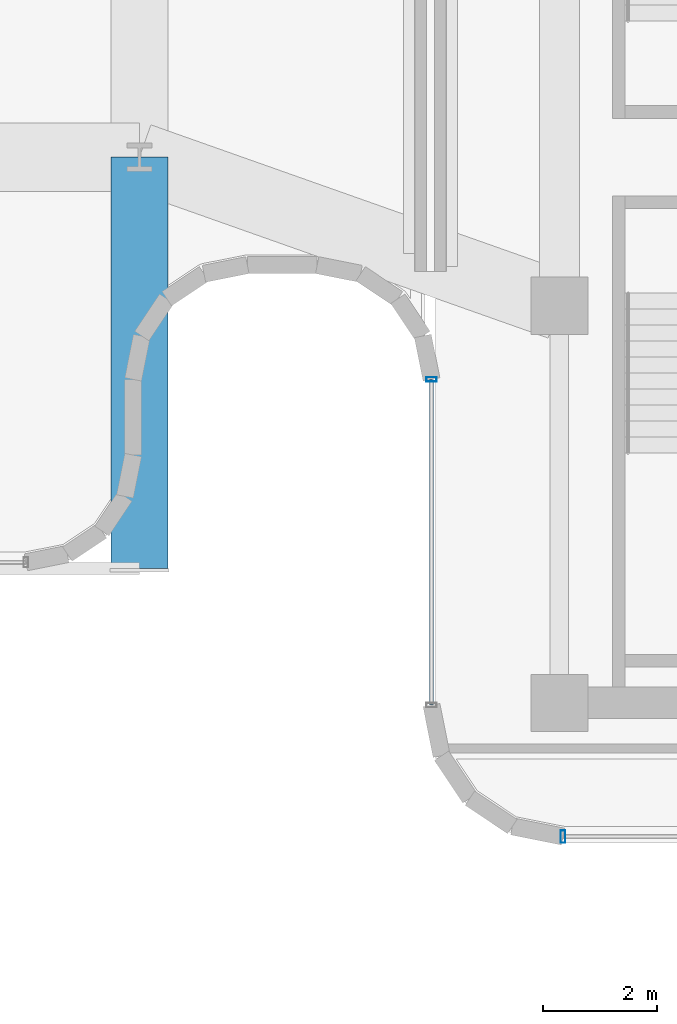
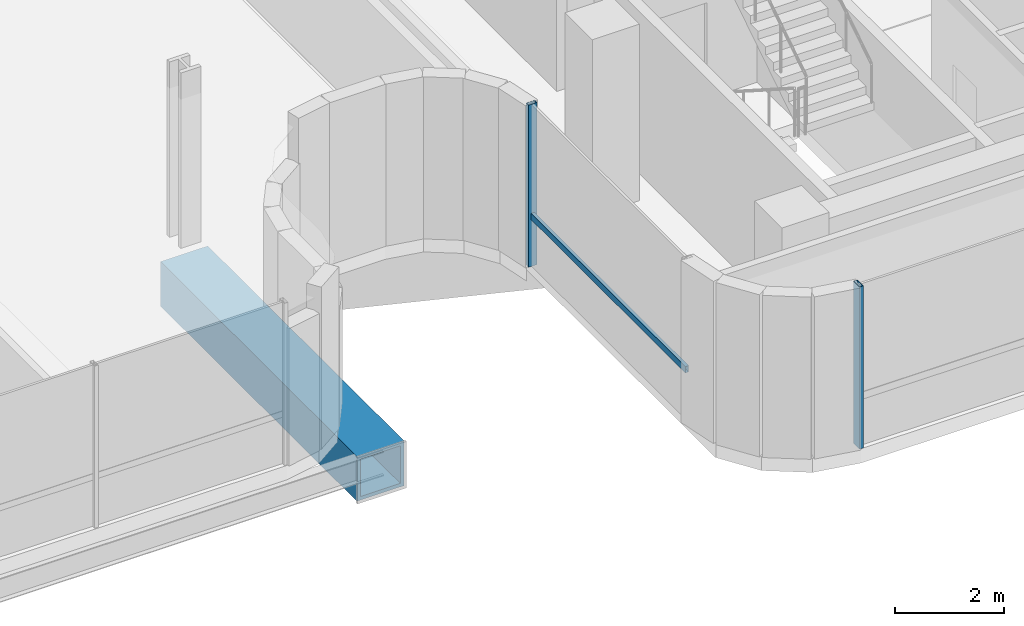
# One storey, part 11 of 36: 3 members, 1 beam, 2 elements without a shape of their own.
"""IFC4 building model written with IfcOpenShell, lengths in metres."""

from ifc_helpers import new_model, si_unit, direction, frame, origin, origin_2d, place, context, subcontext, project, spatial, hollow_rectangle, extrude, source, transform, mapped, material, material_profile, profile_set, type_object, element, aggregate, save


model = new_model("IFC4")

# Units and contexts
model_context = context("Model", 3, precision=1e-05, world=origin(), true_north=direction((0.0, 1.0)))
body_context = subcontext(model_context, "Body", "Model", "MODEL_VIEW")
ifc_project = project(units=[si_unit("LENGTHUNIT", "METRE"), si_unit("AREAUNIT", "SQUARE_METRE"), si_unit("VOLUMEUNIT", "CUBIC_METRE"), si_unit("PLANEANGLEUNIT", "RADIAN"), si_unit("MASSUNIT", "GRAM", prefix="KILO")], contexts=[model_context])

# Site, building, storey
site_placement = place(None, origin())
site = spatial("IfcSite", under=ifc_project, at=site_placement, CompositionType="ELEMENT")
building_placement = place(site_placement, origin())
building = spatial("IfcBuilding", under=site, at=building_placement, Name="Valdorenza Pilgrim Sanctuary Tower", CompositionType="ELEMENT")
storey_placement = place(building_placement, frame((0.0, 0.0, 176.550048828125)))
storey = spatial("IfcBuildingStorey", under=building, at=storey_placement, Name="L45", CompositionType="ELEMENT", Elevation=176.550048828125)

# Beam
ifc_material_1 = material(Name="Steel ASTM A572 Grade 42", Category="steel")
ifc_material_profile_1 = material_profile(ifc_material_1, hollow_rectangle(XDim=1.0, YDim=1.0, WallThickness=0.080078125, at=origin_2d()), Name="BOX 1000x1000x80")
ifc_profile_set_1 = profile_set([ifc_material_profile_1], Name="Steel ASTM A572 Grade 42")
beam_type = type_object("IfcBeamType", Name="STR-BM-PROW-CANT", PredefinedType="BEAM", material=ifc_profile_set_1)
shared_shape_1 = source(origin(), body_context, "Body", "SweptSolid", [
    extrude(hollow_rectangle(XDim=1.0, YDim=1.0, WallThickness=0.080078125, at=origin_2d()), origin(), (0.0, 0.0, 1.0), 7.199951171875),
])
beam_placement = place(storey_placement, frame((8.5, 0.0, -0.820068359375), z_axis=(0.0, -1.0, 0.0), x_axis=(1.0, 0.0, 0.0)))
element("IfcBeam", 1, at=beam_placement, inside=storey, type_object=beam_type, Name="L45 South Sanctuary Prow Cantilever PROW-CANT-S-E", PredefinedType="BEAM", context=body_context, shape_type="MappedRepresentation", body=[
    mapped(shared_shape_1, transform((0.0, 0.0, 0.0), x_axis=(1.0, 0.0, 0.0), y_axis=(0.0, 1.0, 0.0), z_axis=(0.0, 0.0, 1.0), scale=1.0)),
])

# Curtain wall, members
ifc_material_2 = material(Name="Curtain-wall IGU glazing", Category="glass")
curtain_wall_type_1 = type_object("IfcCurtainWallType", Name="CW-SYS-05", PredefinedType="NOTDEFINED", material=ifc_material_2)
curtain_wall_1_placement = place(storey_placement, origin())
curtain_wall_1 = element("IfcCurtainWall", 2, at=curtain_wall_1_placement, inside=storey, type_object=curtain_wall_type_1, Name="L45 Curtain Wall CW-L45-1-47", PredefinedType="NOTDEFINED")
ifc_material_3 = material(Name="Anodised aluminium AW-6060", Category="aluminium")
ifc_material_profile_2 = material_profile(ifc_material_3, hollow_rectangle(XDim=0.070068359375, YDim=0.139892578125, WallThickness=0.00341796875, at=origin_2d()), Name="ALU-T 140x70x3.5")
ifc_profile_set_2 = profile_set([ifc_material_profile_2], Name="Anodised aluminium AW-6060")
member_type_1 = type_object("IfcMemberType", Name="CW-TRN-05", PredefinedType="USERDEFINED", material=ifc_profile_set_2)
shared_shape_2 = source(origin(), body_context, "Body", "SweptSolid", [
    extrude(hollow_rectangle(XDim=0.070068359375, YDim=0.139892578125, WallThickness=0.00341796875, at=origin_2d()), origin(), (0.0, 0.0, 1.0), 5.699951171875),
])
member_1_placement = place(storey_placement, frame((13.610107421875, -9.589111328125, 1.119873046875), z_axis=(0.0, 1.0, 0.0), x_axis=(-1.0, 0.0, 0.0)))
member_1 = element("IfcMember", 3, at=member_1_placement, type_object=member_type_1, Name="CW-L45-1-47 Transom 1", ObjectType="TRANSOM", PredefinedType="USERDEFINED", context=body_context, shape_type="MappedRepresentation", body=[
    mapped(shared_shape_2, transform((0.0, 0.0, 0.0), x_axis=(1.0, 0.0, 0.0), y_axis=(0.0, 1.0, 0.0), z_axis=(0.0, 0.0, 1.0), scale=1.0)),
])
ifc_material_profile_3 = material_profile(ifc_material_3, hollow_rectangle(XDim=0.080078125, YDim=0.179931640625, WallThickness=0.00439453125, at=origin_2d()), Name="ALU-M 180x80x4.5")
ifc_profile_set_3 = profile_set([ifc_material_profile_3], Name="Anodised aluminium AW-6060")
member_type_2 = type_object("IfcMemberType", Name="CW-MUL-05", PredefinedType="MULLION", material=ifc_profile_set_3)
shared_shape_3 = source(origin(), body_context, "Body", "SweptSolid", [
    extrude(hollow_rectangle(XDim=0.080078125, YDim=0.179931640625, WallThickness=0.00439453125, at=origin_2d()), origin(), (0.0, 0.0, 1.0), 3.6298828125),
])
member_2_placement = place(storey_placement, frame((13.610107421875, -3.88916015625, 0.0), z_axis=(0.0, 0.0, 1.0), x_axis=(0.0, 1.0, 0.0)))
member_2 = element("IfcMember", 4, at=member_2_placement, type_object=member_type_2, Name="CW-L45-1-47 Mullion 2", PredefinedType="MULLION", context=body_context, shape_type="MappedRepresentation", body=[
    mapped(shared_shape_3, transform((0.0, 0.0, 0.0), x_axis=(1.0, 0.0, 0.0), y_axis=(0.0, 1.0, 0.0), z_axis=(0.0, 0.0, 1.0), scale=1.0)),
])
aggregate(curtain_wall_1, [member_2, member_1])

# Curtain wall, member
curtain_wall_type_2 = type_object("IfcCurtainWallType", Name="CW-SYS-03", PredefinedType="NOTDEFINED", material=ifc_material_2)
curtain_wall_2_placement = place(storey_placement, origin())
curtain_wall_2 = element("IfcCurtainWall", 5, at=curtain_wall_2_placement, inside=storey, type_object=curtain_wall_type_2, Name="L45 Curtain Wall CW-L45-1-42", PredefinedType="NOTDEFINED")
ifc_material_profile_4 = material_profile(ifc_material_3, hollow_rectangle(XDim=0.0849609375, YDim=0.219970703125, WallThickness=0.0048828125, at=origin_2d()), Name="ALU-M 220x85x5")
ifc_profile_set_4 = profile_set([ifc_material_profile_4], Name="Anodised aluminium AW-6060")
member_type_3 = type_object("IfcMemberType", Name="CW-MUL-03", PredefinedType="MULLION", material=ifc_profile_set_4)
shared_shape_4 = source(origin(), body_context, "Body", "SweptSolid", [
    extrude(hollow_rectangle(XDim=0.0849609375, YDim=0.219970703125, WallThickness=0.0048828125, at=origin_2d()), origin(), (0.0, 0.0, 1.0), 3.6298828125),
])
member_3_placement = place(storey_placement, frame((15.910888671875, -11.889892578125, 0.0), z_axis=(0.0, 0.0, 1.0), x_axis=(-1.0, 0.0, 0.0)))
member_3 = element("IfcMember", 6, at=member_3_placement, type_object=member_type_3, Name="CW-L45-1-42 Mullion 3", PredefinedType="MULLION", context=body_context, shape_type="MappedRepresentation", body=[
    mapped(shared_shape_4, transform((0.0, 0.0, 0.0), x_axis=(1.0, 0.0, 0.0), y_axis=(0.0, 1.0, 0.0), z_axis=(0.0, 0.0, 1.0), scale=1.0)),
])
aggregate(curtain_wall_2, [member_3])

save(model, "model.ifc")
